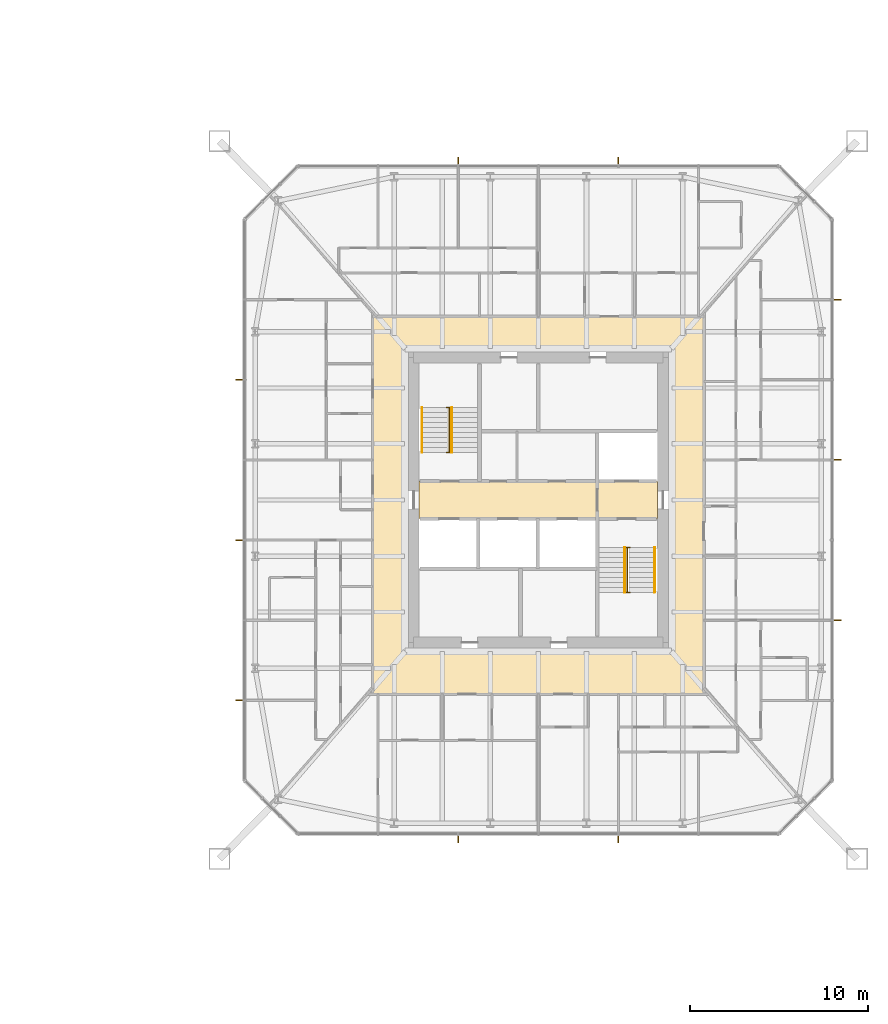
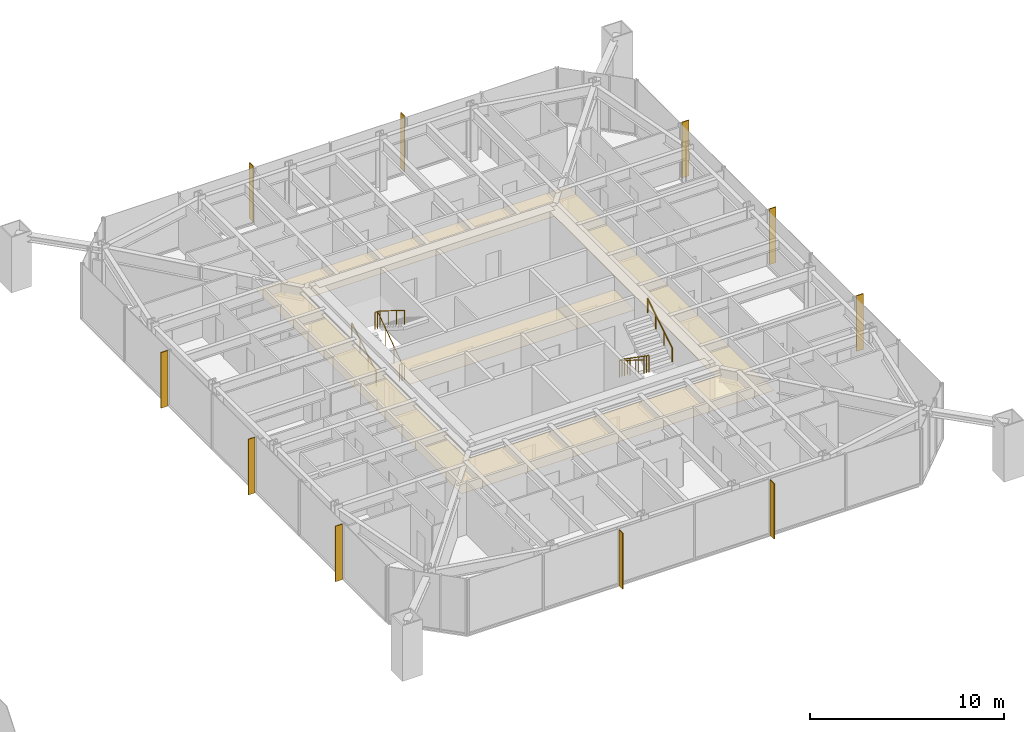
# One storey, part 26 of 26: 10 shading devices, 6 railings, 3 coverings.
"""IFC4 building model written with IfcOpenShell, lengths in metres."""

from ifc_helpers import new_model, si_unit, direction, frame, origin, origin_2d, place, context, subcontext, project, spatial, polyline, rectangle, circle, outline, extrude, material, layer, layer_set, constituent, constituent_set, type_object, element, save


model = new_model("IFC4")

# Units and contexts
model_context = context("Model", 3, precision=1e-05, world=origin(), true_north=direction((0.0, 1.0)))
body_context = subcontext(model_context, "Body", "Model", "MODEL_VIEW")
ifc_project = project(units=[si_unit("LENGTHUNIT", "METRE"), si_unit("AREAUNIT", "SQUARE_METRE"), si_unit("VOLUMEUNIT", "CUBIC_METRE"), si_unit("PLANEANGLEUNIT", "RADIAN"), si_unit("MASSUNIT", "GRAM", prefix="KILO")], contexts=[model_context])

# Site, building, storey
site_placement = place(None, origin())
site = spatial("IfcSite", under=ifc_project, at=site_placement, CompositionType="ELEMENT")
building_placement = place(site_placement, origin())
building = spatial("IfcBuilding", under=site, at=building_placement, Name="Iwan Alto Co-Living Towers", CompositionType="ELEMENT")
storey_placement = place(building_placement, frame((0.0, 0.0, 57.0)))
storey = spatial("IfcBuildingStorey", under=building, at=storey_placement, Name="L15", CompositionType="ELEMENT", Elevation=57.0)

# Coverings
ifc_material_1 = material(Name="Mineral fibre acoustic tiles on steel grid", Category="steel")
ifc_layer_1 = layer(ifc_material_1, 0.02001953125)
ifc_layer_set_1 = layer_set([ifc_layer_1], Name="ACOUSTIC TILE CEILING 20")
covering_type_1 = type_object("IfcCoveringType", Name="ACOUSTIC TILE CEILING 20", PredefinedType="CEILING", material=ifc_layer_set_1)
covering_1_placement = place(storey_placement, frame((0.0, 0.0, 2.60009765625)))
element("IfcCovering", 1, at=covering_1_placement, inside=storey, type_object=covering_type_1, Name="Ceiling Lift lobby L15", PredefinedType="CEILING", context=body_context, shape_type="SweptSolid", body=[
    extrude(outline(polyline([(56.300048828125, -1.050048828125), (56.300048828125, 1.050048828125), (66.300048828125, 1.050048828125), (66.300048828125, -1.050048828125), (56.300048828125, -1.050048828125)])), origin(), (0.0, 0.0, 1.0), 0.02001953125),
])
covering_2_placement = place(storey_placement, frame((0.0, 0.0, 2.60009765625)))
element("IfcCovering", 2, at=covering_2_placement, inside=storey, type_object=covering_type_1, Name="Ceiling Firefighting lobby L15", PredefinedType="CEILING", context=body_context, shape_type="SweptSolid", body=[
    extrude(outline(polyline([(66.300048828125, -1.050048828125), (66.300048828125, 1.050048828125), (69.699951171875, 1.050048828125), (69.699951171875, -1.050048828125), (66.300048828125, -1.050048828125)])), origin(), (0.0, 0.0, 1.0), 0.02001953125),
])

# Shading devices
ifc_material_2 = material(Name="Aluminium 6063-T6 bronze anodised", Category="aluminium")
ifc_layer_2 = layer(ifc_material_2, 0.050048828125)
ifc_layer_set_2 = layer_set([ifc_layer_2], Name="BRONZE FIN 50X400")
shading_device_type = type_object("IfcShadingDeviceType", Name="BRONZE FIN 50X400", PredefinedType="USERDEFINED", material=ifc_layer_set_2)
for number, where, z_axis, x_axis, name in (
    (3, (58.5, -19.050048828125, 0.0), (0.0, 0.0, 1.0), (1.0, 0.0, 0.0), "Bronze fin L15"),
    (4, (67.5, -19.050048828125, 0.0), (0.0, 0.0, 1.0), (1.0, 0.0, 0.0), "Bronze fin L15"),
    (5, (79.800048828125, -6.75, 0.0), (0.0, 0.0, 1.0), (0.0, 1.0, 0.0), "Bronze fin L15"),
    (6, (79.800048828125, 2.25, 0.0), (0.0, 0.0, 1.0), (0.0, 1.0, 0.0), "Bronze fin L15"),
    (7, (79.800048828125, 11.25, 0.0), (0.0, 0.0, 1.0), (0.0, 1.0, 0.0), "Bronze fin L15"),
    (8, (67.5, 19.050048828125, 0.0), (0.0, 0.0, 1.0), (-1.0, 0.0, 0.0), "Bronze fin L15"),
    (9, (58.5, 19.050048828125, 0.0), (0.0, 0.0, 1.0), (-1.0, 0.0, 0.0), "Bronze fin L15"),
    (10, (46.199951171875, 6.75, 0.0), (0.0, 0.0, 1.0), (0.0, -1.0, 0.0), "Bronze fin L15"),
    (11, (46.199951171875, -2.25, 0.0), (0.0, 0.0, 1.0), (0.0, -1.0, 0.0), "Bronze fin L15"),
    (12, (46.199951171875, -11.25, 0.0), (0.0, 0.0, 1.0), (0.0, -1.0, 0.0), "Bronze fin L15"),
):
    element("IfcShadingDevice", number, at=place(storey_placement, frame(where, z_axis=z_axis, x_axis=x_axis)), inside=storey, type_object=shading_device_type, Name=name, ObjectType="LOUVER", PredefinedType="USERDEFINED", context=body_context, shape_type="SweptSolid", body=[
        extrude(rectangle(XDim=0.050048828125, YDim=0.39990234375, at=origin_2d()), origin(), (0.0, 0.0, 1.0), 3.5),
    ])

# Railings
ifc_material_3 = material(Name="Steel ASTM A500 Gr C", Category="steel")
ifc_constituent_1 = constituent(ifc_material_3, Name="Rails and posts", Category="Framing")
ifc_material_4 = material(Name="Steel ASTM A36", Category="steel")
ifc_constituent_2 = constituent(ifc_material_4, Name="Bar infill", Category="Infill")
ifc_constituent_set = constituent_set(constituents=[ifc_constituent_1, ifc_constituent_2], Name="STAIR GUARD 1100")
railing_type_1 = type_object("IfcRailingType", Name="STAIR GUARD 1100", PredefinedType="GUARDRAIL", material=ifc_constituent_set)
railing_1_placement = place(storey_placement, frame((58.0, 2.669921875, 0.0)))
element("IfcRailing", 13, at=railing_1_placement, inside=storey, type_object=railing_type_1, Name="Stair T2-S1 well guard L15", PredefinedType="GUARDRAIL", context=body_context, shape_type="SweptSolid", body=[
    extrude(circle(Radius=0.02392578125, at=origin_2d()), frame((0.0, 0.0, 1.076171875), z_axis=(0.0, 0.821372036852, 0.570392826987), x_axis=(-1.0, 0.0, 0.0)), (0.0, 0.0, 1.0), 3.068115234375),
    extrude(circle(Radius=0.02392578125, at=origin_2d()), frame((-0.14990234375, 0.0, 1.076171875), z_axis=(1.0, 0.0, 0.0), x_axis=(0.0, 1.0, 0.0)), (0.0, 0.0, 1.0), 0.2998046875),
    extrude(circle(Radius=0.02392578125, at=origin_2d()), frame((-0.14990234375, 2.52001953125, 2.826171875), z_axis=(1.0, 0.0, 0.0), x_axis=(0.0, 1.0, 0.0)), (0.0, 0.0, 1.0), 0.2998046875),
    extrude(circle(Radius=0.02099609375, at=origin_2d()), origin(), (0.0, 0.0, 1.0), 1.052001953125),
    extrude(circle(Radius=0.02099609375, at=origin_2d()), frame((0.0, 0.840087890625, 0.583251953125)), (0.0, 0.0, 1.0), 1.052001953125),
    extrude(circle(Radius=0.02099609375, at=origin_2d()), frame((0.0, 1.679931640625, 1.166748046875)), (0.0, 0.0, 1.0), 1.052001953125),
    extrude(circle(Radius=0.02099609375, at=origin_2d()), frame((0.0, 2.52001953125, 1.75)), (0.0, 0.0, 1.0), 1.052001953125),
    extrude(circle(Radius=0.02099609375, at=origin_2d()), frame((-0.14990234375, 0.0, 0.0)), (0.0, 0.0, 1.0), 1.052001953125),
    extrude(circle(Radius=0.02099609375, at=origin_2d()), frame((0.14990234375, 0.0, 0.0)), (0.0, 0.0, 1.0), 1.052001953125),
    extrude(circle(Radius=0.02099609375, at=origin_2d()), frame((-0.14990234375, 2.52001953125, 1.75)), (0.0, 0.0, 1.0), 1.052001953125),
    extrude(circle(Radius=0.02099609375, at=origin_2d()), frame((0.14990234375, 2.52001953125, 1.75)), (0.0, 0.0, 1.0), 1.052001953125),
])
railing_2_placement = place(storey_placement, frame((68.0, -2.669921875, 0.0)))
element("IfcRailing", 14, at=railing_2_placement, inside=storey, type_object=railing_type_1, Name="Stair T2-S2 well guard L15", PredefinedType="GUARDRAIL", context=body_context, shape_type="SweptSolid", body=[
    extrude(circle(Radius=0.02392578125, at=origin_2d()), frame((0.0, 0.0, 1.076171875), z_axis=(0.0, -0.821372036852, 0.570392826987), x_axis=(1.0, 0.0, 0.0)), (0.0, 0.0, 1.0), 3.068115234375),
    extrude(circle(Radius=0.02392578125, at=origin_2d()), frame((-0.14990234375, 0.0, 1.076171875), z_axis=(1.0, 0.0, 0.0), x_axis=(0.0, 1.0, 0.0)), (0.0, 0.0, 1.0), 0.2998046875),
    extrude(circle(Radius=0.02392578125, at=origin_2d()), frame((-0.14990234375, -2.52001953125, 2.826171875), z_axis=(1.0, 0.0, 0.0), x_axis=(0.0, 1.0, 0.0)), (0.0, 0.0, 1.0), 0.2998046875),
    extrude(circle(Radius=0.02099609375, at=origin_2d()), origin(), (0.0, 0.0, 1.0), 1.052001953125),
    extrude(circle(Radius=0.02099609375, at=origin_2d()), frame((0.0, -0.840087890625, 0.583251953125)), (0.0, 0.0, 1.0), 1.052001953125),
    extrude(circle(Radius=0.02099609375, at=origin_2d()), frame((0.0, -1.679931640625, 1.166748046875)), (0.0, 0.0, 1.0), 1.052001953125),
    extrude(circle(Radius=0.02099609375, at=origin_2d()), frame((0.0, -2.52001953125, 1.75)), (0.0, 0.0, 1.0), 1.052001953125),
    extrude(circle(Radius=0.02099609375, at=origin_2d()), frame((-0.14990234375, 0.0, 0.0)), (0.0, 0.0, 1.0), 1.052001953125),
    extrude(circle(Radius=0.02099609375, at=origin_2d()), frame((0.14990234375, 0.0, 0.0)), (0.0, 0.0, 1.0), 1.052001953125),
    extrude(circle(Radius=0.02099609375, at=origin_2d()), frame((-0.14990234375, -2.52001953125, 1.75)), (0.0, 0.0, 1.0), 1.052001953125),
    extrude(circle(Radius=0.02099609375, at=origin_2d()), frame((0.14990234375, -2.52001953125, 1.75)), (0.0, 0.0, 1.0), 1.052001953125),
])
ifc_material_5 = material(Name="Steel ASTM A500 Gr C", Category="steel")
railing_type_2 = type_object("IfcRailingType", Name="STAIR HANDRAIL 900", PredefinedType="HANDRAIL", material=ifc_material_5)
railing_3_placement = place(storey_placement, frame((56.469970703125, 2.669921875, 0.175048828125)))
element("IfcRailing", 15, at=railing_3_placement, inside=storey, type_object=railing_type_2, Name="Stair T2-S1 handrail 1 L15", PredefinedType="HANDRAIL", context=body_context, shape_type="SweptSolid", body=[
    extrude(circle(Radius=0.02392578125, at=origin_2d()), frame((0.0, 0.0, 0.8759765625), z_axis=(0.0, 0.848007534815, 0.529984170421), x_axis=(-1.0, 0.0, 0.0)), (0.0, 0.0, 1.0), 2.9716796875),
    extrude(circle(Radius=0.02099609375, at=origin_2d()), origin(), (0.0, 0.0, 1.0), 0.851806640625),
    extrude(circle(Radius=0.02099609375, at=origin_2d()), frame((0.0, 0.840087890625, 0.52490234375)), (0.0, 0.0, 1.0), 0.851806640625),
    extrude(circle(Radius=0.02099609375, at=origin_2d()), frame((0.0, 1.679931640625, 1.050048828125)), (0.0, 0.0, 1.0), 0.851806640625),
    extrude(circle(Radius=0.02099609375, at=origin_2d()), frame((0.0, 2.52001953125, 1.574951171875)), (0.0, 0.0, 1.0), 0.851806640625),
])
for number, where, name in (
    (16, (58.14990234375, 5.18994140625, 1.925048828125), "Stair T2-S1 handrail 2 L15"),
    (17, (67.85009765625, -2.669921875, 0.175048828125), "Stair T2-S2 handrail 1 L15"),
):
    element("IfcRailing", number, at=place(storey_placement, frame(where)), inside=storey, type_object=railing_type_2, Name=name, PredefinedType="HANDRAIL", context=body_context, shape_type="SweptSolid", body=[
        extrude(circle(Radius=0.02392578125, at=origin_2d()), frame((0.0, 0.0, 0.8759765625), z_axis=(0.0, -0.848007534815, 0.529984170421), x_axis=(1.0, 0.0, 0.0)), (0.0, 0.0, 1.0), 2.9716796875),
        extrude(circle(Radius=0.02099609375, at=origin_2d()), origin(), (0.0, 0.0, 1.0), 0.851806640625),
        extrude(circle(Radius=0.02099609375, at=origin_2d()), frame((0.0, -0.840087890625, 0.52490234375)), (0.0, 0.0, 1.0), 0.851806640625),
        extrude(circle(Radius=0.02099609375, at=origin_2d()), frame((0.0, -1.679931640625, 1.050048828125)), (0.0, 0.0, 1.0), 0.851806640625),
        extrude(circle(Radius=0.02099609375, at=origin_2d()), frame((0.0, -2.52001953125, 1.574951171875)), (0.0, 0.0, 1.0), 0.851806640625),
    ])
railing_4_placement = place(storey_placement, frame((69.530029296875, -5.18994140625, 1.925048828125)))
element("IfcRailing", 18, at=railing_4_placement, inside=storey, type_object=railing_type_2, Name="Stair T2-S2 handrail 2 L15", PredefinedType="HANDRAIL", context=body_context, shape_type="SweptSolid", body=[
    extrude(circle(Radius=0.02392578125, at=origin_2d()), frame((0.0, 0.0, 0.8759765625), z_axis=(0.0, 0.848007534815, 0.529984170421), x_axis=(-1.0, 0.0, 0.0)), (0.0, 0.0, 1.0), 2.9716796875),
    extrude(circle(Radius=0.02099609375, at=origin_2d()), origin(), (0.0, 0.0, 1.0), 0.851806640625),
    extrude(circle(Radius=0.02099609375, at=origin_2d()), frame((0.0, 0.840087890625, 0.52490234375)), (0.0, 0.0, 1.0), 0.851806640625),
    extrude(circle(Radius=0.02099609375, at=origin_2d()), frame((0.0, 1.679931640625, 1.050048828125)), (0.0, 0.0, 1.0), 0.851806640625),
    extrude(circle(Radius=0.02099609375, at=origin_2d()), frame((0.0, 2.52001953125, 1.574951171875)), (0.0, 0.0, 1.0), 0.851806640625),
])

# Covering
ifc_material_6 = material(Name="Gypsum plasterboard on steel grid", Category="steel")
ifc_layer_3 = layer(ifc_material_6, 0.014892578125)
ifc_layer_set_3 = layer_set([ifc_layer_3], Name="SUSPENDED PLASTERBOARD CEILING 15")
covering_type_2 = type_object("IfcCoveringType", Name="SUSPENDED PLASTERBOARD CEILING 15", PredefinedType="CEILING", material=ifc_layer_set_3)
covering_3_placement = place(storey_placement, frame((0.0, 0.0, 2.60009765625)))
element("IfcCovering", 19, at=covering_3_placement, inside=storey, type_object=covering_type_2, Name="Ceiling Corridor L15", PredefinedType="CEILING", context=body_context, shape_type="SweptSolid", body=[
    extrude(outline(polyline([(53.699951171875, 10.300048828125), (72.300048828125, 10.300048828125), (72.300048828125, -10.89990234375), (53.699951171875, -10.89990234375), (53.699951171875, 10.300048828125)]), holes=[polyline([(55.699951171875, 8.300048828125), (55.699951171875, -8.300048828125), (70.300048828125, -8.300048828125), (70.300048828125, 8.300048828125), (55.699951171875, 8.300048828125)])]), origin(), (0.0, 0.0, 1.0), 0.014892578125),
])

save(model, "model.ifc")
